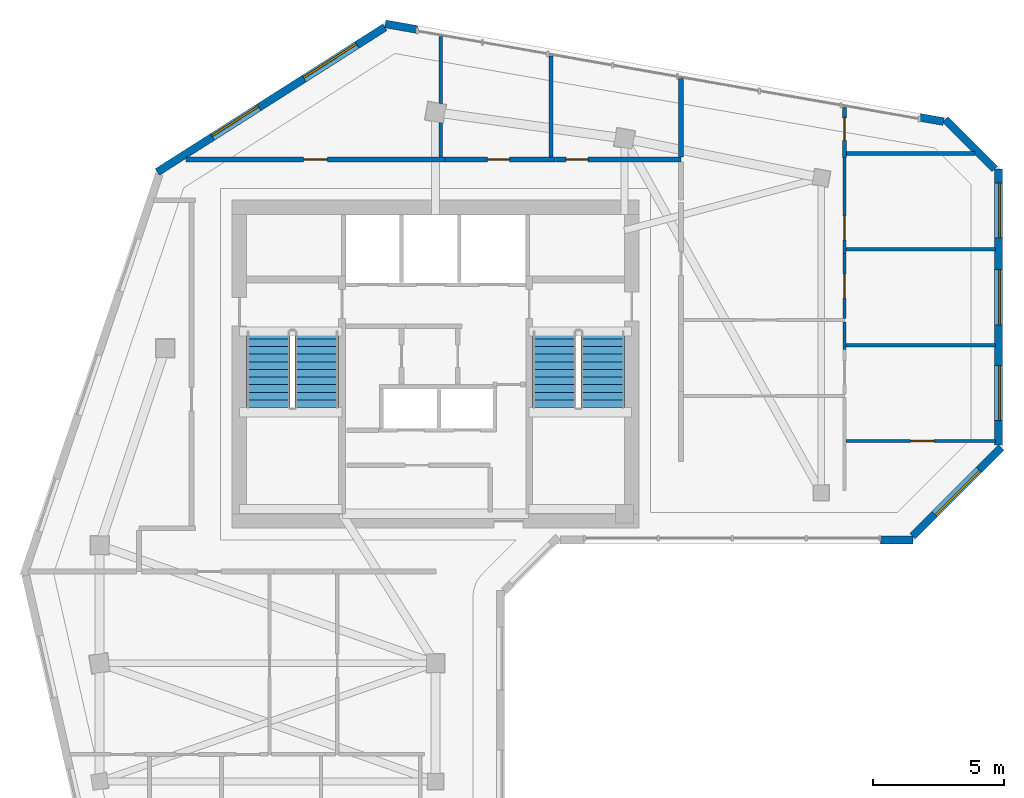
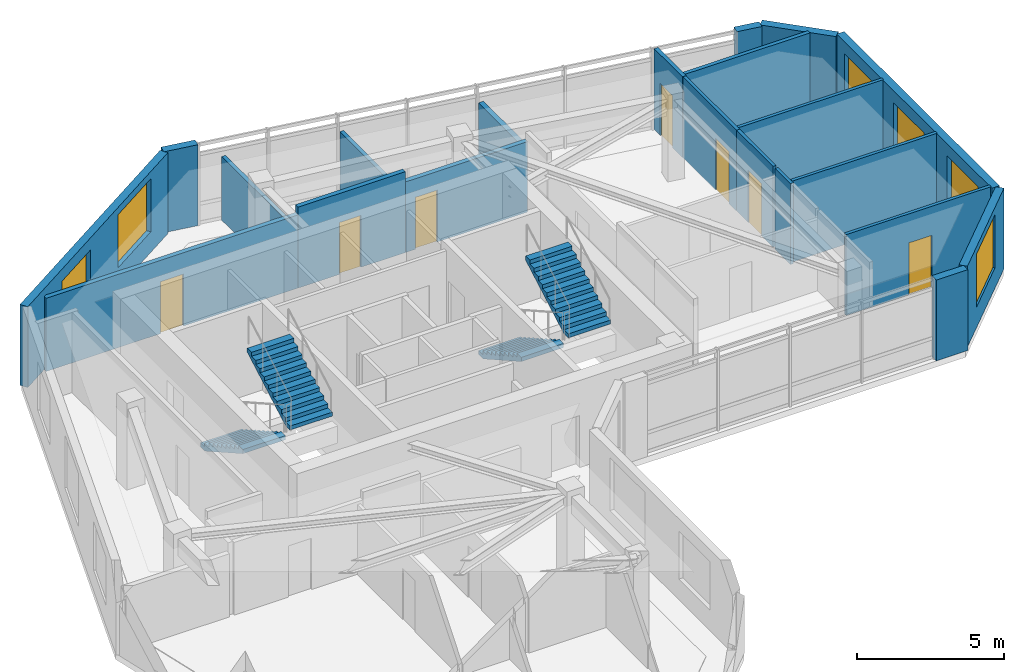
# One storey, part 6 of 10: 21 walls, 7 doors, 6 windows, 4 stair flights, 13 openings, 2 elements without a shape of their own.
"""IFC4 building model written with IfcOpenShell, lengths in metres."""

from ifc_helpers import new_model, si_unit, direction, frame, frame_2d, origin, place, context, subcontext, project, spatial, polyline, rectangle, outline, extrude, source, transform, mapped, material, layer, layer_set, type_object, element, fill, aggregate, save


model = new_model("IFC4")

# Units and contexts
model_context = context("Model", 3, precision=1e-05, world=origin(), true_north=direction((0.0, 1.0)))
body_context = subcontext(model_context, "Body", "Model", "MODEL_VIEW")
ifc_project = project(units=[si_unit("LENGTHUNIT", "METRE"), si_unit("AREAUNIT", "SQUARE_METRE"), si_unit("VOLUMEUNIT", "CUBIC_METRE"), si_unit("PLANEANGLEUNIT", "RADIAN"), si_unit("MASSUNIT", "GRAM", prefix="KILO")], contexts=[model_context])

# Site, building, storey
site_placement = place(None, origin())
site = spatial("IfcSite", under=ifc_project, at=site_placement, CompositionType="ELEMENT")
building_placement = place(site_placement, origin())
building = spatial("IfcBuilding", under=site, at=building_placement, Name="Calvemar Wedge Station Tower", CompositionType="ELEMENT")
storey_placement = place(building_placement, frame((0.0, 0.0, 256.5)))
storey = spatial("IfcBuildingStorey", under=building, at=storey_placement, Name="L65", CompositionType="ELEMENT", Elevation=256.5)

# Wall, opening, door
ifc_material_1 = material(Name="Double-stud fire-rated corridor partition")
ifc_layer_1 = layer(ifc_material_1, 0.179931640625)
ifc_layer_set_1 = layer_set([ifc_layer_1], Name="Double-stud fire-rated corridor partition")
wall_type_1 = type_object("IfcWallType", Name="W-CORR-180", PredefinedType="PARTITIONING", material=ifc_layer_set_1)
wall_1_placement = place(storey_placement, frame((14.29541015625, 47.699951171875, 0.0), z_axis=(0.0, 0.0, 1.0), x_axis=(1.0, 0.0, 0.0)))
wall_1 = element("IfcWall", 1, at=wall_1_placement, inside=storey, type_object=wall_type_1, Name="Storey L65 Interior Partition WL-L65-016", PredefinedType="PARTITIONING", context=body_context, shape_type="SweptSolid", body=[
    extrude(rectangle(XDim=9.864501953125, YDim=0.179931640625, at=frame_2d((4.93212890625, 0.0))), origin(), (0.0, 0.0, 1.0), 3.033935546875),
])
shared_shape_1 = source(origin(), body_context, "Body", "SweptSolid", [
    extrude(rectangle(XDim=0.89990234375, YDim=2.14990234375, at=frame_2d((0.449951171875, 1.074951171875))), frame((0.0, 0.10009765625, 0.0), z_axis=(0.0, -1.0, 0.0), x_axis=(1.0, 0.0, 0.0)), (0.0, 0.0, 1.0), 0.199951171875),
])
opening_1_placement = place(wall_1_placement, frame((4.482421875, 0.0, 0.0)))
opening_1 = element("IfcOpeningElement", 2, at=opening_1_placement, cuts=wall_1, Name="Opening D-01", PredefinedType="OPENING", context=body_context, shape_type="MappedRepresentation", body=[
    mapped(shared_shape_1, transform((0.0, 0.0, 0.0), scale=1.0)),
])
ifc_material_2 = material(Name="Architectural hardwood acoustic swing door", Category="wood")
door_type_1 = type_object("IfcDoorType", Name="DR-INT-900", OperationType="NOTDEFINED", PredefinedType="DOOR", material=ifc_material_2)
shared_shape_2 = source(origin(), body_context, "Body", "SweptSolid", [
    extrude(rectangle(XDim=0.89990234375, YDim=2.14990234375, at=frame_2d((0.449951171875, 1.074951171875))), frame((0.0, 0.02490234375, 0.0), z_axis=(0.0, -1.0, 0.0), x_axis=(1.0, 0.0, 0.0)), (0.0, 0.0, 1.0), 0.050048828125),
])
door_1_placement = place(opening_1_placement, origin())
door_1 = element("IfcDoor", 3, at=door_1_placement, inside=storey, type_object=door_type_1, Name="L65 Sky Reading Library Door", OperationType="SINGLE_SWING_RIGHT", OverallHeight=2.14990234375, OverallWidth=0.89990234375, PredefinedType="DOOR", context=body_context, shape_type="MappedRepresentation", body=[
    mapped(shared_shape_2, transform((0.0, 0.0, 0.0), scale=1.0)),
])
fill(opening_1, door_1)

wall_2_placement = place(storey_placement, frame((24.162109375, 47.699951171875, 0.0), z_axis=(0.0, 0.0, 1.0), x_axis=(1.0, 0.0, 0.0)))
wall_2 = element("IfcWall", 4, at=wall_2_placement, inside=storey, type_object=wall_type_1, Name="Storey L65 Interior Partition WL-L65-017", PredefinedType="PARTITIONING", context=body_context, shape_type="SweptSolid", body=[
    extrude(rectangle(XDim=4.197998046875, YDim=0.179931640625, at=frame_2d((2.09912109375, 0.0))), origin(), (0.0, 0.0, 1.0), 3.35009765625),
])
shared_shape_3 = source(origin(), body_context, "Body", "SweptSolid", [
    extrude(rectangle(XDim=0.85009765625, YDim=2.14990234375, at=frame_2d((0.425048828125, 1.074951171875))), frame((0.0, 0.10009765625, 0.0), z_axis=(0.0, -1.0, 0.0), x_axis=(1.0, 0.0, 0.0)), (0.0, 0.0, 1.0), 0.199951171875),
])
opening_2_placement = place(wall_2_placement, frame((1.61328125, 0.0, 0.0)))
opening_2 = element("IfcOpeningElement", 5, at=opening_2_placement, cuts=wall_2, Name="Opening D-02", PredefinedType="OPENING", context=body_context, shape_type="MappedRepresentation", body=[
    mapped(shared_shape_3, transform((0.0, 0.0, 0.0), scale=1.0)),
])
ifc_material_3 = material(Name="Moisture-sealed bathroom hardwood swing door", Category="wood")
door_type_2 = type_object("IfcDoorType", Name="DR-WET-850", OperationType="NOTDEFINED", PredefinedType="DOOR", material=ifc_material_3)
shared_shape_4 = source(origin(), body_context, "Body", "SweptSolid", [
    extrude(rectangle(XDim=0.85009765625, YDim=2.14990234375, at=frame_2d((0.425048828125, 1.074951171875))), frame((0.0, 0.02490234375, 0.0), z_axis=(0.0, -1.0, 0.0), x_axis=(1.0, 0.0, 0.0)), (0.0, 0.0, 1.0), 0.050048828125),
])
door_2_placement = place(opening_2_placement, origin())
door_2 = element("IfcDoor", 6, at=door_2_placement, inside=storey, type_object=door_type_2, Name="L65 Accessible WC Door", OperationType="SINGLE_SWING_LEFT", OverallHeight=2.14990234375, OverallWidth=0.85009765625, PredefinedType="DOOR", context=body_context, shape_type="MappedRepresentation", body=[
    mapped(shared_shape_4, transform((0.0, 0.0, 0.0), scale=1.0)),
])
fill(opening_2, door_2)

wall_3_placement = place(storey_placement, frame((28.362060546875, 47.699951171875, 0.0), z_axis=(0.0, 0.0, 1.0), x_axis=(1.0, 0.0, 0.0)))
wall_3 = element("IfcWall", 7, at=wall_3_placement, inside=storey, type_object=wall_type_1, Name="Storey L65 Interior Partition WL-L65-018", PredefinedType="PARTITIONING", context=body_context, shape_type="SweptSolid", body=[
    extrude(rectangle(XDim=4.787841796875, YDim=0.179931640625, at=frame_2d((2.39404296875, 0.0))), origin(), (0.0, 0.0, 1.0), 2.922119140625),
])
opening_3_placement = place(wall_3_placement, frame((0.400634765625, 0.0, 0.0)))
opening_3 = element("IfcOpeningElement", 8, at=opening_3_placement, cuts=wall_3, Name="Opening D-02", PredefinedType="OPENING", context=body_context, shape_type="MappedRepresentation", body=[
    mapped(shared_shape_3, transform((0.0, 0.0, 0.0), scale=1.0)),
])
door_3_placement = place(opening_3_placement, origin())
door_3 = element("IfcDoor", 9, at=door_3_placement, inside=storey, type_object=door_type_2, Name="L65 Storage Room Door", OperationType="SINGLE_SWING_RIGHT", OverallHeight=2.14990234375, OverallWidth=0.85009765625, PredefinedType="DOOR", context=body_context, shape_type="MappedRepresentation", body=[
    mapped(shared_shape_4, transform((0.0, 0.0, 0.0), scale=1.0)),
])
fill(opening_3, door_3)

# Walls
ifc_material_4 = material(Name="Twin-stud fire-rated inter-tenancy wall")
ifc_layer_2 = layer(ifc_material_4, 0.199951171875)
ifc_layer_set_2 = layer_set([ifc_layer_2], Name="Twin-stud fire-rated inter-tenancy wall")
wall_type_2 = type_object("IfcWallType", Name="W-DEMISE-200", PredefinedType="PARTITIONING", material=ifc_layer_set_2)
wall_4_placement = place(storey_placement, frame((33.14990234375, 50.7802734375, 0.0), z_axis=(0.0, 0.0, 1.0), x_axis=(0.0, -1.0, 0.0)))
element("IfcWall", 10, at=wall_4_placement, inside=storey, type_object=wall_type_2, Name="Storey L65 Interior Partition WL-L65-026", PredefinedType="PARTITIONING", context=body_context, shape_type="SweptSolid", body=[
    extrude(rectangle(XDim=2.986328125, YDim=0.199951171875, at=frame_2d((1.4931640625, 0.0))), origin(), (0.0, 0.0, 1.0), 2.64208984375),
])
ifc_material_5 = material(Name="Precast concrete C45", Category="concrete")
ifc_layer_3 = layer(ifc_material_5, 0.300048828125)
ifc_layer_set_3 = layer_set([ifc_layer_3], Name="Precast concrete C45")
wall_type_3 = type_object("IfcWallType", Name="W-EXT-GFRC-300", PredefinedType="SOLIDWALL", material=ifc_layer_set_3)
wall_5_placement = place(storey_placement, frame((40.7578125, 33.2060546875, 0.0), z_axis=(0.0, 0.0, 1.0), x_axis=(1.0, 0.0, 0.0)))
element("IfcWall", 11, at=wall_5_placement, inside=storey, type_object=wall_type_3, Name="Storey L65 Bronze GFRC Corner Pier 6B", PredefinedType="SOLIDWALL", context=body_context, shape_type="SweptSolid", body=[
    extrude(rectangle(XDim=1.22998046875, YDim=0.300048828125, at=frame_2d((0.614990234375, 0.0))), origin(), (0.0, 0.0, 1.0), 3.35009765625),
])

# Wall, opening, window
wall_6_placement = place(storey_placement, frame((41.975830078125, 33.343994140625, 0.0), z_axis=(0.0, 0.0, 1.0), x_axis=(0.707132316343, 0.707081245108, 0.0)))
wall_6 = element("IfcWall", 12, at=wall_6_placement, inside=storey, type_object=wall_type_3, Name="Storey L65 Bronze GFRC Exterior Wall 7", PredefinedType="SOLIDWALL", context=body_context, shape_type="SweptSolid", body=[
    extrude(rectangle(XDim=4.7802734375, YDim=0.300048828125, at=frame_2d((2.39013671875, 0.0))), origin(), (0.0, 0.0, 1.0), 3.35009765625),
])
shared_shape_5 = source(origin(), body_context, "Body", "SweptSolid", [
    extrude(rectangle(XDim=2.39990234375, YDim=2.199951171875, at=frame_2d((1.199951171875, 1.10009765625))), frame((0.0, 0.16015625, 0.0), z_axis=(0.0, -1.0, 0.0), x_axis=(1.0, 0.0, 0.0)), (0.0, 0.0, 1.0), 0.320068359375),
])
opening_4_placement = place(wall_6_placement, frame((1.18994140625, 0.0, 0.85009765625)))
opening_4 = element("IfcOpeningElement", 13, at=opening_4_placement, cuts=wall_6, Name="Opening W1", PredefinedType="OPENING", context=body_context, shape_type="MappedRepresentation", body=[
    mapped(shared_shape_5, transform((0.0, 0.0, 0.0), scale=1.0)),
])
ifc_material_6 = material(Name="Low-E laminated insulated glass", Category="glass")
window_type_1 = type_object("IfcWindowType", Name="WIN-EXT-1", PartitioningType="SINGLE_PANEL", PredefinedType="WINDOW", material=ifc_material_6)
shared_shape_6 = source(origin(), body_context, "Body", "SweptSolid", [
    extrude(rectangle(XDim=2.39990234375, YDim=2.199951171875, at=frame_2d((1.199951171875, 1.10009765625))), frame((0.0, -0.014892578125, 0.0), z_axis=(0.0, -1.0, 0.0), x_axis=(1.0, 0.0, 0.0)), (0.0, 0.0, 1.0), 0.06005859375),
])
window_1_placement = place(opening_4_placement, origin())
window_1 = element("IfcWindow", 14, at=window_1_placement, inside=storey, type_object=window_type_1, Name="Storey L65 Recessed Window 7.1", OverallHeight=2.199951171875, OverallWidth=2.39990234375, PartitioningType="SINGLE_PANEL", PredefinedType="WINDOW", context=body_context, shape_type="MappedRepresentation", body=[
    mapped(shared_shape_6, transform((0.0, 0.0, 0.0), scale=1.0)),
])
fill(opening_4, window_1)

# Wall, openings, windows
wall_7_placement = place(storey_placement, frame((45.25, 36.813232421875, 0.0), z_axis=(0.0, 0.0, 1.0), x_axis=(0.0, 1.0, 0.0)))
wall_7 = element("IfcWall", 15, at=wall_7_placement, inside=storey, type_object=wall_type_3, Name="Storey L65 Bronze GFRC Exterior Wall 8", PredefinedType="SOLIDWALL", context=body_context, shape_type="SweptSolid", body=[
    extrude(rectangle(XDim=10.53076171875, YDim=0.300048828125, at=frame_2d((5.265380859375, 0.0))), origin(), (0.0, 0.0, 1.0), 3.35009765625),
])
shared_shape_7 = source(origin(), body_context, "Body", "SweptSolid", [
    extrude(rectangle(XDim=2.10009765625, YDim=2.0, at=frame_2d((1.050048828125, 1.0))), frame((0.0, 0.16015625, 0.0), z_axis=(0.0, -1.0, 0.0), x_axis=(1.0, 0.0, 0.0)), (0.0, 0.0, 1.0), 0.320068359375),
])
opening_5_placement = place(wall_7_placement, frame((0.93603515625, 0.0, 0.85009765625)))
opening_5 = element("IfcOpeningElement", 16, at=opening_5_placement, cuts=wall_7, Name="Opening W4", PredefinedType="OPENING", context=body_context, shape_type="MappedRepresentation", body=[
    mapped(shared_shape_7, transform((0.0, 0.0, 0.0), scale=1.0)),
])
opening_6_placement = place(wall_7_placement, frame((4.589111328125, 0.0, 0.85009765625)))
opening_6 = element("IfcOpeningElement", 17, at=opening_6_placement, cuts=wall_7, Name="Opening W4", PredefinedType="OPENING", context=body_context, shape_type="MappedRepresentation", body=[
    mapped(shared_shape_7, transform((0.0, 0.0, 0.0), scale=1.0)),
])
opening_7_placement = place(wall_7_placement, frame((7.89794921875, 0.0, 0.85009765625)))
opening_7 = element("IfcOpeningElement", 18, at=opening_7_placement, cuts=wall_7, Name="Opening W4", PredefinedType="OPENING", context=body_context, shape_type="MappedRepresentation", body=[
    mapped(shared_shape_7, transform((0.0, 0.0, 0.0), scale=1.0)),
])
window_type_2 = type_object("IfcWindowType", Name="WIN-EXT-4", PartitioningType="SINGLE_PANEL", PredefinedType="WINDOW", material=ifc_material_6)
shared_shape_8 = source(origin(), body_context, "Body", "SweptSolid", [
    extrude(rectangle(XDim=2.10009765625, YDim=2.0, at=frame_2d((1.050048828125, 1.0))), frame((0.0, -0.014892578125, 0.0), z_axis=(0.0, -1.0, 0.0), x_axis=(1.0, 0.0, 0.0)), (0.0, 0.0, 1.0), 0.06005859375),
])
window_2_placement = place(opening_5_placement, origin())
window_2 = element("IfcWindow", 19, at=window_2_placement, inside=storey, type_object=window_type_2, Name="Storey L65 Recessed Window 8.1", OverallHeight=2.0, OverallWidth=2.10009765625, PartitioningType="SINGLE_PANEL", PredefinedType="WINDOW", context=body_context, shape_type="MappedRepresentation", body=[
    mapped(shared_shape_8, transform((0.0, 0.0, 0.0), scale=1.0)),
])
fill(opening_5, window_2)
window_3_placement = place(opening_6_placement, origin())
window_3 = element("IfcWindow", 20, at=window_3_placement, inside=storey, type_object=window_type_2, Name="Storey L65 Recessed Window 8.2", OverallHeight=2.0, OverallWidth=2.10009765625, PartitioningType="SINGLE_PANEL", PredefinedType="WINDOW", context=body_context, shape_type="MappedRepresentation", body=[
    mapped(shared_shape_8, transform((0.0, 0.0, 0.0), scale=1.0)),
])
fill(opening_6, window_3)
window_4_placement = place(opening_7_placement, origin())
window_4 = element("IfcWindow", 21, at=window_4_placement, inside=storey, type_object=window_type_2, Name="Storey L65 Recessed Window 8.3", OverallHeight=2.0, OverallWidth=2.10009765625, PartitioningType="SINGLE_PANEL", PredefinedType="WINDOW", context=body_context, shape_type="MappedRepresentation", body=[
    mapped(shared_shape_8, transform((0.0, 0.0, 0.0), scale=1.0)),
])
fill(opening_7, window_4)

# Walls
wall_8_placement = place(storey_placement, frame((45.112060546875, 47.331787109375, 0.0), z_axis=(0.0, 0.0, 1.0), x_axis=(-0.707106781187, 0.707106781187, 0.0)))
element("IfcWall", 22, at=wall_8_placement, inside=storey, type_object=wall_type_3, Name="Storey L65 Bronze GFRC Exterior Wall 9", PredefinedType="SOLIDWALL", context=body_context, shape_type="SweptSolid", body=[
    extrude(rectangle(XDim=2.673828125, YDim=0.300048828125, at=frame_2d((1.3369140625, 0.0))), origin(), (0.0, 0.0, 1.0), 3.35009765625),
])
wall_9_placement = place(storey_placement, frame((43.161376953125, 49.1455078125, 0.0), z_axis=(0.0, 0.0, 1.0), x_axis=(-0.985052066521, 0.172256861238, 0.0)))
element("IfcWall", 23, at=wall_9_placement, inside=storey, type_object=wall_type_3, Name="Storey L65 Bronze GFRC Corner Pier 10A", PredefinedType="SOLIDWALL", context=body_context, shape_type="SweptSolid", body=[
    extrude(rectangle(XDim=0.911376953125, YDim=0.300048828125, at=frame_2d((0.45556640625, 0.0))), origin(), (0.0, 0.0, 1.0), 3.35009765625),
])
wall_10_placement = place(storey_placement, frame((23.09521484375, 52.656005859375, 0.0), z_axis=(0.0, 0.0, 1.0), x_axis=(-0.985008549623, 0.172505527937, 0.0)))
element("IfcWall", 24, at=wall_10_placement, inside=storey, type_object=wall_type_3, Name="Storey L65 Bronze GFRC Corner Pier 10B", PredefinedType="SOLIDWALL", context=body_context, shape_type="SweptSolid", body=[
    extrude(rectangle(XDim=1.22998046875, YDim=0.300048828125, at=frame_2d((0.614990234375, 0.0))), origin(), (0.0, 0.0, 1.0), 3.35009765625),
])

# Wall, openings, windows
wall_11_placement = place(storey_placement, frame((21.873779296875, 52.741943359375, 0.0), z_axis=(0.0, 0.0, 1.0), x_axis=(-0.84365659959, -0.536883173482, 0.0)))
wall_11 = element("IfcWall", 25, at=wall_11_placement, inside=storey, type_object=wall_type_3, Name="Storey L65 Bronze GFRC Exterior Wall 11", PredefinedType="SOLIDWALL", context=body_context, shape_type="SweptSolid", body=[
    extrude(rectangle(XDim=10.282958984375, YDim=0.300048828125, at=frame_2d((5.1416015625, 0.0))), origin(), (0.0, 0.0, 1.0), 3.35009765625),
])
opening_8_placement = place(wall_11_placement, frame((1.260009765625, 0.0, 0.85009765625)))
opening_8 = element("IfcOpeningElement", 26, at=opening_8_placement, cuts=wall_11, Name="Opening W1", PredefinedType="OPENING", context=body_context, shape_type="MappedRepresentation", body=[
    mapped(shared_shape_5, transform((0.0, 0.0, 0.0), scale=1.0)),
])
opening_9_placement = place(wall_11_placement, frame((5.68994140625, 0.0, 0.85009765625)))
opening_9 = element("IfcOpeningElement", 27, at=opening_9_placement, cuts=wall_11, Name="Opening W4", PredefinedType="OPENING", context=body_context, shape_type="MappedRepresentation", body=[
    mapped(shared_shape_7, transform((0.0, 0.0, 0.0), scale=1.0)),
])
window_5_placement = place(opening_9_placement, origin())
window_5 = element("IfcWindow", 28, at=window_5_placement, inside=storey, type_object=window_type_2, Name="Storey L65 Recessed Window 11.2", OverallHeight=2.0, OverallWidth=2.10009765625, PartitioningType="SINGLE_PANEL", PredefinedType="WINDOW", context=body_context, shape_type="MappedRepresentation", body=[
    mapped(shared_shape_8, transform((0.0, 0.0, 0.0), scale=1.0)),
])
fill(opening_9, window_5)
window_6_placement = place(opening_8_placement, origin())
window_6 = element("IfcWindow", 29, at=window_6_placement, inside=storey, type_object=window_type_1, Name="Storey L65 Recessed Window 11.1", OverallHeight=2.199951171875, OverallWidth=2.39990234375, PartitioningType="SINGLE_PANEL", PredefinedType="WINDOW", context=body_context, shape_type="MappedRepresentation", body=[
    mapped(shared_shape_6, transform((0.0, 0.0, 0.0), scale=1.0)),
])
fill(opening_8, window_6)

# Wall, opening, door
ifc_material_7 = material(Name="Insulated acoustic gypsum stud partition")
ifc_layer_4 = layer(ifc_material_7, 0.125)
ifc_layer_set_4 = layer_set([ifc_layer_4], Name="Insulated acoustic gypsum stud partition")
wall_type_4 = type_object("IfcWallType", Name="W-PART-125", PredefinedType="PARTITIONING", material=ifc_layer_set_4)
wall_12_placement = place(storey_placement, frame((39.382080078125, 47.76806640625, 0.0), z_axis=(0.0, 0.0, 1.0), x_axis=(0.0, -1.0, 0.0)))
wall_12 = element("IfcWall", 30, at=wall_12_placement, inside=storey, type_object=wall_type_4, Name="Storey L65 Interior Partition WL-L65-032", PredefinedType="PARTITIONING", context=body_context, shape_type="SweptSolid", body=[
    extrude(rectangle(XDim=3.650146484375, YDim=0.125, at=frame_2d((1.8251953125, 0.0))), origin(), (0.0, 0.0, 1.0), 3.35009765625),
])
shared_shape_9 = source(origin(), body_context, "Body", "SweptSolid", [
    extrude(rectangle(XDim=0.89990234375, YDim=2.14990234375, at=frame_2d((0.449951171875, 1.074951171875))), frame((0.0, 0.072509765625, 0.0), z_axis=(0.0, -1.0, 0.0), x_axis=(1.0, 0.0, 0.0)), (0.0, 0.0, 1.0), 0.14501953125),
])
opening_10_placement = place(wall_12_placement, frame((2.226806640625, 0.0, 0.0)))
opening_10 = element("IfcOpeningElement", 31, at=opening_10_placement, cuts=wall_12, Name="Opening D-01", PredefinedType="OPENING", context=body_context, shape_type="MappedRepresentation", body=[
    mapped(shared_shape_9, transform((0.0, 0.0, 0.0), scale=1.0)),
])
door_4_placement = place(opening_10_placement, origin())
door_4 = element("IfcDoor", 32, at=door_4_placement, inside=storey, type_object=door_type_1, Name="L65 Master Bedroom Door", OperationType="SINGLE_SWING_LEFT", OverallHeight=2.14990234375, OverallWidth=0.89990234375, PredefinedType="DOOR", context=body_context, shape_type="MappedRepresentation", body=[
    mapped(shared_shape_2, transform((0.0, 0.0, 0.0), scale=1.0)),
])
fill(opening_10, door_4)

wall_13_placement = place(storey_placement, frame((39.382080078125, 44.115966796875, 0.0), z_axis=(0.0, 0.0, 1.0), x_axis=(0.0, -1.0, 0.0)))
wall_13 = element("IfcWall", 33, at=wall_13_placement, inside=storey, type_object=wall_type_4, Name="Storey L65 Interior Partition WL-L65-033", PredefinedType="PARTITIONING", context=body_context, shape_type="SweptSolid", body=[
    extrude(rectangle(XDim=2.469482421875, YDim=0.125, at=frame_2d((1.23486328125, 0.0))), origin(), (0.0, 0.0, 1.0), 3.35009765625),
])
opening_11_placement = place(wall_13_placement, frame((0.78466796875, 0.0, 0.0)))
opening_11 = element("IfcOpeningElement", 34, at=opening_11_placement, cuts=wall_13, Name="Opening D-01", PredefinedType="OPENING", context=body_context, shape_type="MappedRepresentation", body=[
    mapped(shared_shape_9, transform((0.0, 0.0, 0.0), scale=1.0)),
])
door_5_placement = place(opening_11_placement, origin())
door_5 = element("IfcDoor", 35, at=door_5_placement, inside=storey, type_object=door_type_1, Name="L65 Bedroom Door", OperationType="SINGLE_SWING_RIGHT", OverallHeight=2.14990234375, OverallWidth=0.89990234375, PredefinedType="DOOR", context=body_context, shape_type="MappedRepresentation", body=[
    mapped(shared_shape_2, transform((0.0, 0.0, 0.0), scale=1.0)),
])
fill(opening_11, door_5)

# Walls
wall_14_placement = place(storey_placement, frame((39.382080078125, 41.513427734375, 0.0), z_axis=(0.0, 0.0, 1.0), x_axis=(0.0, -1.0, 0.0)))
element("IfcWall", 36, at=wall_14_placement, inside=storey, type_object=wall_type_4, Name="Storey L65 Interior Partition WL-L65-034", PredefinedType="PARTITIONING", context=body_context, shape_type="SweptSolid", body=[
    extrude(rectangle(XDim=1.04736328125, YDim=0.125, at=frame_2d((0.523681640625, 0.0))), origin(), (0.0, 0.0, 1.0), 3.35009765625),
])
for number, where, z_axis, x_axis, name in (
    (37, (45.135009765625, 44.278076171875, 0.0), (0.0, 0.0, 1.0), (-1.0, 0.0, 0.0), "Storey L65 Interior Partition WL-L65-037"),
    (38, (45.135009765625, 40.6259765625, 0.0), (0.0, 0.0, 1.0), (-1.0, 0.0, 0.0), "Storey L65 Interior Partition WL-L65-038"),
):
    element("IfcWall", number, at=place(storey_placement, frame(where, z_axis=z_axis, x_axis=x_axis)), inside=storey, type_object=wall_type_4, Name=name, PredefinedType="PARTITIONING", context=body_context, shape_type="SweptSolid", body=[
        extrude(rectangle(XDim=5.6865234375, YDim=0.125, at=frame_2d((2.84326171875, 0.0))), origin(), (0.0, 0.0, 1.0), 3.35009765625),
    ])

# Wall, opening, door
wall_15_placement = place(storey_placement, frame((45.135009765625, 36.972900390625, 0.0), z_axis=(0.0, 0.0, 1.0), x_axis=(-1.0, 0.0, 0.0)))
wall_15 = element("IfcWall", 39, at=wall_15_placement, inside=storey, type_object=wall_type_4, Name="Storey L65 Interior Partition WL-L65-039", PredefinedType="PARTITIONING", context=body_context, shape_type="SweptSolid", body=[
    extrude(rectangle(XDim=5.6865234375, YDim=0.125, at=frame_2d((2.84326171875, 0.0))), origin(), (0.0, 0.0, 1.0), 3.35009765625),
])
opening_12_placement = place(wall_15_placement, frame((2.3330078125, 0.0, 0.0)))
opening_12 = element("IfcOpeningElement", 40, at=opening_12_placement, cuts=wall_15, Name="Opening D-01", PredefinedType="OPENING", context=body_context, shape_type="MappedRepresentation", body=[
    mapped(shared_shape_9, transform((0.0, 0.0, 0.0), scale=1.0)),
])
door_6_placement = place(opening_12_placement, origin())
door_6 = element("IfcDoor", 41, at=door_6_placement, inside=storey, type_object=door_type_1, Name="L65 Study Door", OperationType="SINGLE_SWING_RIGHT", OverallHeight=2.14990234375, OverallWidth=0.89990234375, PredefinedType="DOOR", context=body_context, shape_type="MappedRepresentation", body=[
    mapped(shared_shape_2, transform((0.0, 0.0, 0.0), scale=1.0)),
])
fill(opening_12, door_6)

# Walls
ifc_material_8 = material(Name="Moisture-resistant acoustic bathroom partition")
ifc_layer_5 = layer(ifc_material_8, 0.14990234375)
ifc_layer_set_5 = layer_set([ifc_layer_5], Name="Moisture-resistant acoustic bathroom partition")
wall_type_5 = type_object("IfcWallType", Name="W-WET-150", PredefinedType="PARTITIONING", material=ifc_layer_set_5)
wall_16_placement = place(storey_placement, frame((24.0, 52.381103515625, 0.0), z_axis=(0.0, 0.0, 1.0), x_axis=(0.0, -1.0, 0.0)))
element("IfcWall", 42, at=wall_16_placement, inside=storey, type_object=wall_type_5, Name="Storey L65 Interior Partition WL-L65-024", PredefinedType="PARTITIONING", context=body_context, shape_type="SweptSolid", body=[
    extrude(rectangle(XDim=4.587158203125, YDim=0.14990234375, at=frame_2d((2.29345703125, 0.0))), origin(), (0.0, 0.0, 1.0), 2.64208984375),
])
wall_17_placement = place(storey_placement, frame((28.199951171875, 51.646240234375, 0.0), z_axis=(0.0, 0.0, 1.0), x_axis=(0.0, -1.0, 0.0)))
element("IfcWall", 43, at=wall_17_placement, inside=storey, type_object=wall_type_5, Name="Storey L65 Interior Partition WL-L65-025", PredefinedType="PARTITIONING", context=body_context, shape_type="SweptSolid", body=[
    extrude(rectangle(XDim=3.852294921875, YDim=0.14990234375, at=frame_2d((1.92626953125, 0.0))), origin(), (0.0, 0.0, 1.0), 2.64208984375),
])

# Wall, opening, door
wall_18_placement = place(storey_placement, frame((39.382080078125, 49.68994140625, 0.0), z_axis=(0.0, 0.0, 1.0), x_axis=(0.0, -1.0, 0.0)))
wall_18 = element("IfcWall", 44, at=wall_18_placement, inside=storey, type_object=wall_type_5, Name="Storey L65 Interior Partition WL-L65-031", PredefinedType="PARTITIONING", context=body_context, shape_type="SweptSolid", body=[
    extrude(rectangle(XDim=1.919921875, YDim=0.14990234375, at=frame_2d((0.9599609375, 0.0))), origin(), (0.0, 0.0, 1.0), 3.35009765625),
])
shared_shape_10 = source(origin(), body_context, "Body", "SweptSolid", [
    extrude(rectangle(XDim=0.85009765625, YDim=2.14990234375, at=frame_2d((0.425048828125, 1.074951171875))), frame((0.0, 0.0849609375, 0.0), z_axis=(0.0, -1.0, 0.0), x_axis=(1.0, 0.0, 0.0)), (0.0, 0.0, 1.0), 0.169921875),
])
opening_13_placement = place(wall_18_placement, frame((0.407470703125, 0.0, 0.0)))
opening_13 = element("IfcOpeningElement", 45, at=opening_13_placement, cuts=wall_18, Name="Opening D-02", PredefinedType="OPENING", context=body_context, shape_type="MappedRepresentation", body=[
    mapped(shared_shape_10, transform((0.0, 0.0, 0.0), scale=1.0)),
])
door_7_placement = place(opening_13_placement, origin())
door_7 = element("IfcDoor", 46, at=door_7_placement, inside=storey, type_object=door_type_2, Name="L65 Bathroom Door", OperationType="SINGLE_SWING_RIGHT", OverallHeight=2.14990234375, OverallWidth=0.85009765625, PredefinedType="DOOR", context=body_context, shape_type="MappedRepresentation", body=[
    mapped(shared_shape_4, transform((0.0, 0.0, 0.0), scale=1.0)),
])
fill(opening_13, door_7)

# Wall
wall_19_placement = place(storey_placement, frame((44.351318359375, 47.929931640625, 0.0), z_axis=(0.0, 0.0, 1.0), x_axis=(-1.0, 0.0, 0.0)))
element("IfcWall", 47, at=wall_19_placement, inside=storey, type_object=wall_type_5, Name="Storey L65 Interior Partition WL-L65-036", PredefinedType="PARTITIONING", context=body_context, shape_type="SweptSolid", body=[
    extrude(rectangle(XDim=4.890380859375, YDim=0.14990234375, at=frame_2d((2.4453125, 0.0))), origin(), (0.0, 0.0, 1.0), 3.35009765625),
])

# Stair, stair flights
ifc_material_9 = material(Name="Concrete C45", Category="concrete")
stair_type = type_object("IfcStairType", Name="ST-TYPE-3600", PredefinedType="HALF_TURN_STAIR", material=ifc_material_9)
stair_1_placement = place(storey_placement, origin())
stair_1 = element("IfcStair", 48, at=stair_1_placement, inside=storey, type_object=stair_type, Name="L65 Pressurized Core Exit Stair ST-C1", PredefinedType="HALF_TURN_STAIR")
stair_flight_type = type_object("IfcStairFlightType", Name="STF-TYPE-3600", PredefinedType="STRAIGHT", material=ifc_material_9)
stair_flight_1_placement = place(storey_placement, frame((17.429931640625, 41.14990234375, 0.0), z_axis=(0.0, 0.0, 1.0), x_axis=(0.0, -1.0, 0.0)))
stair_flight_1 = element("IfcStairFlight", 49, at=stair_flight_1_placement, type_object=stair_flight_type, Name="ST-C1 flight 1", NumberOfRisers=11, NumberOfTreads=10, PredefinedType="STRAIGHT", RiserHeight=0.163636364, TreadLength=0.29, context=body_context, shape_type="SweptSolid", body=[
    extrude(outline(polyline([(0.0, 0.0), (0.0, 0.16357421875), (0.2900390625, 0.16357421875), (0.2900390625, 0.327392578125), (0.580078125, 0.327392578125), (0.580078125, 0.490966796875), (0.8701171875, 0.490966796875), (0.8701171875, 0.654541015625), (1.159912109375, 0.654541015625), (1.159912109375, 0.818115234375), (1.449951171875, 0.818115234375), (1.449951171875, 0.98193359375), (1.739990234375, 0.98193359375), (1.739990234375, 1.1455078125), (2.030029296875, 1.1455078125), (2.030029296875, 1.30908203125), (2.320068359375, 1.30908203125), (2.320068359375, 1.47265625), (2.610107421875, 1.47265625), (2.610107421875, 1.636474609375), (2.89990234375, 1.636474609375), (2.89990234375, 1.800048828125), (2.89990234375, 1.46435546875), (0.304931640625, 0.0), (0.0, 0.0)])), frame((0.0, 0.830078125, 0.0), z_axis=(0.0, -1.0, 0.0), x_axis=(1.0, 0.0, 0.0)), (0.0, 0.0, 1.0), 1.659912109375),
])
stair_flight_2_placement = place(storey_placement, frame((19.27001953125, 38.25, 1.800048828125), z_axis=(0.0, 0.0, 1.0), x_axis=(0.0, 1.0, 0.0)))
stair_flight_2 = element("IfcStairFlight", 50, at=stair_flight_2_placement, type_object=stair_flight_type, Name="ST-C1 flight 2", NumberOfRisers=11, NumberOfTreads=10, PredefinedType="STRAIGHT", RiserHeight=0.163636364, TreadLength=0.29, context=body_context, shape_type="SweptSolid", body=[
    extrude(outline(polyline([(0.0, 0.0), (0.0, 0.16357421875), (0.2900390625, 0.16357421875), (0.2900390625, 0.327392578125), (0.580078125, 0.327392578125), (0.580078125, 0.490966796875), (0.8701171875, 0.490966796875), (0.8701171875, 0.654541015625), (1.159912109375, 0.654541015625), (1.159912109375, 0.818115234375), (1.449951171875, 0.818115234375), (1.449951171875, 0.98193359375), (1.739990234375, 0.98193359375), (1.739990234375, 1.1455078125), (2.030029296875, 1.1455078125), (2.030029296875, 1.30908203125), (2.320068359375, 1.30908203125), (2.320068359375, 1.47265625), (2.610107421875, 1.47265625), (2.610107421875, 1.636474609375), (2.89990234375, 1.636474609375), (2.89990234375, 1.800048828125), (2.89990234375, 1.46435546875), (0.304931640625, 0.0), (0.0, 0.0)])), frame((0.0, 0.830078125, 0.0), z_axis=(0.0, -1.0, 0.0), x_axis=(1.0, 0.0, 0.0)), (0.0, 0.0, 1.0), 1.659912109375),
])
aggregate(stair_1, [stair_flight_1, stair_flight_2])

stair_2_placement = place(storey_placement, origin())
stair_2 = element("IfcStair", 51, at=stair_2_placement, inside=storey, type_object=stair_type, Name="L65 Pressurized Core Exit Stair ST-C2", PredefinedType="HALF_TURN_STAIR")
stair_flight_3_placement = place(storey_placement, frame((28.330078125, 41.14990234375, 0.0), z_axis=(0.0, 0.0, 1.0), x_axis=(0.0, -1.0, 0.0)))
stair_flight_3 = element("IfcStairFlight", 52, at=stair_flight_3_placement, type_object=stair_flight_type, Name="ST-C2 flight 1", NumberOfRisers=11, NumberOfTreads=10, PredefinedType="STRAIGHT", RiserHeight=0.163636364, TreadLength=0.29, context=body_context, shape_type="SweptSolid", body=[
    extrude(outline(polyline([(0.0, 0.0), (0.0, 0.16357421875), (0.2900390625, 0.16357421875), (0.2900390625, 0.327392578125), (0.580078125, 0.327392578125), (0.580078125, 0.490966796875), (0.8701171875, 0.490966796875), (0.8701171875, 0.654541015625), (1.159912109375, 0.654541015625), (1.159912109375, 0.818115234375), (1.449951171875, 0.818115234375), (1.449951171875, 0.98193359375), (1.739990234375, 0.98193359375), (1.739990234375, 1.1455078125), (2.030029296875, 1.1455078125), (2.030029296875, 1.30908203125), (2.320068359375, 1.30908203125), (2.320068359375, 1.47265625), (2.610107421875, 1.47265625), (2.610107421875, 1.636474609375), (2.89990234375, 1.636474609375), (2.89990234375, 1.800048828125), (2.89990234375, 1.46435546875), (0.304931640625, 0.0), (0.0, 0.0)])), frame((0.0, 0.830078125, 0.0), z_axis=(0.0, -1.0, 0.0), x_axis=(1.0, 0.0, 0.0)), (0.0, 0.0, 1.0), 1.659912109375),
])
stair_flight_4_placement = place(storey_placement, frame((30.169921875, 38.25, 1.800048828125), z_axis=(0.0, 0.0, 1.0), x_axis=(0.0, 1.0, 0.0)))
stair_flight_4 = element("IfcStairFlight", 53, at=stair_flight_4_placement, type_object=stair_flight_type, Name="ST-C2 flight 2", NumberOfRisers=11, NumberOfTreads=10, PredefinedType="STRAIGHT", RiserHeight=0.163636364, TreadLength=0.29, context=body_context, shape_type="SweptSolid", body=[
    extrude(outline(polyline([(0.0, 0.0), (0.0, 0.16357421875), (0.2900390625, 0.16357421875), (0.2900390625, 0.327392578125), (0.580078125, 0.327392578125), (0.580078125, 0.490966796875), (0.8701171875, 0.490966796875), (0.8701171875, 0.654541015625), (1.159912109375, 0.654541015625), (1.159912109375, 0.818115234375), (1.449951171875, 0.818115234375), (1.449951171875, 0.98193359375), (1.739990234375, 0.98193359375), (1.739990234375, 1.1455078125), (2.030029296875, 1.1455078125), (2.030029296875, 1.30908203125), (2.320068359375, 1.30908203125), (2.320068359375, 1.47265625), (2.610107421875, 1.47265625), (2.610107421875, 1.636474609375), (2.89990234375, 1.636474609375), (2.89990234375, 1.800048828125), (2.89990234375, 1.46435546875), (0.304931640625, 0.0), (0.0, 0.0)])), frame((0.0, 0.830078125, 0.0), z_axis=(0.0, -1.0, 0.0), x_axis=(1.0, 0.0, 0.0)), (0.0, 0.0, 1.0), 1.659912109375),
])
aggregate(stair_2, [stair_flight_3, stair_flight_4])

save(model, "model.ifc")
